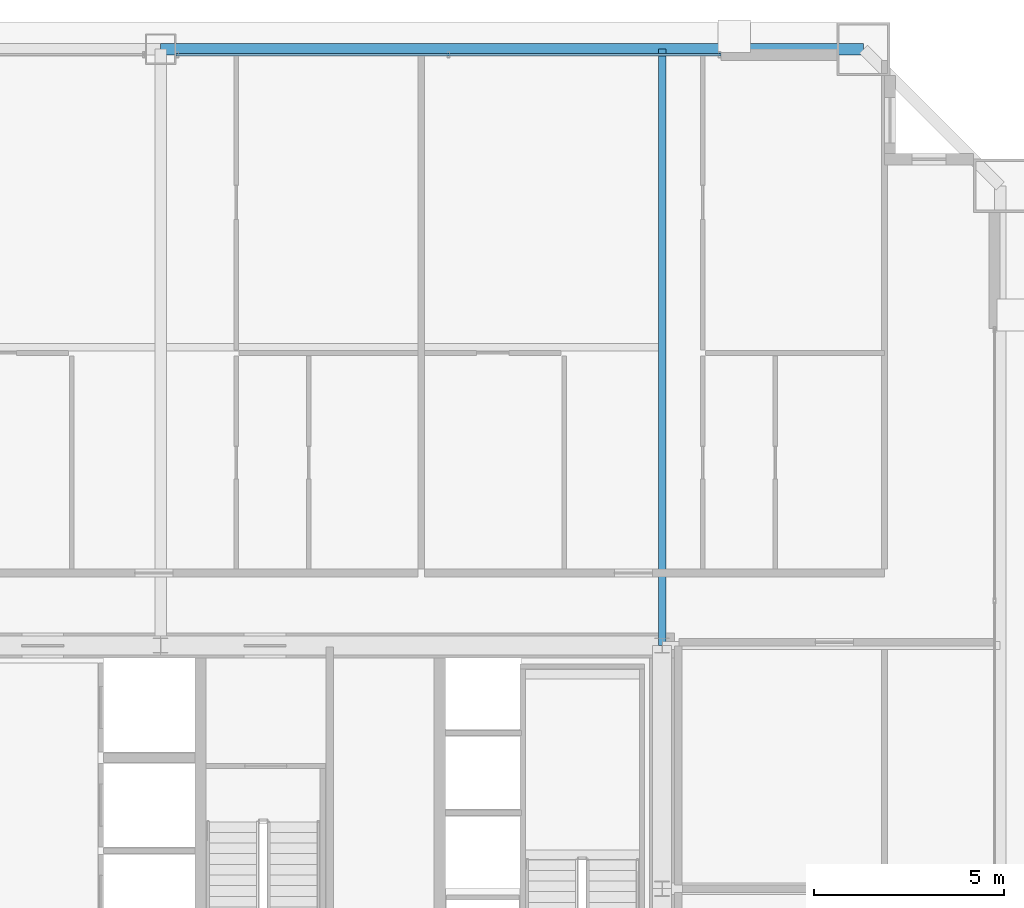
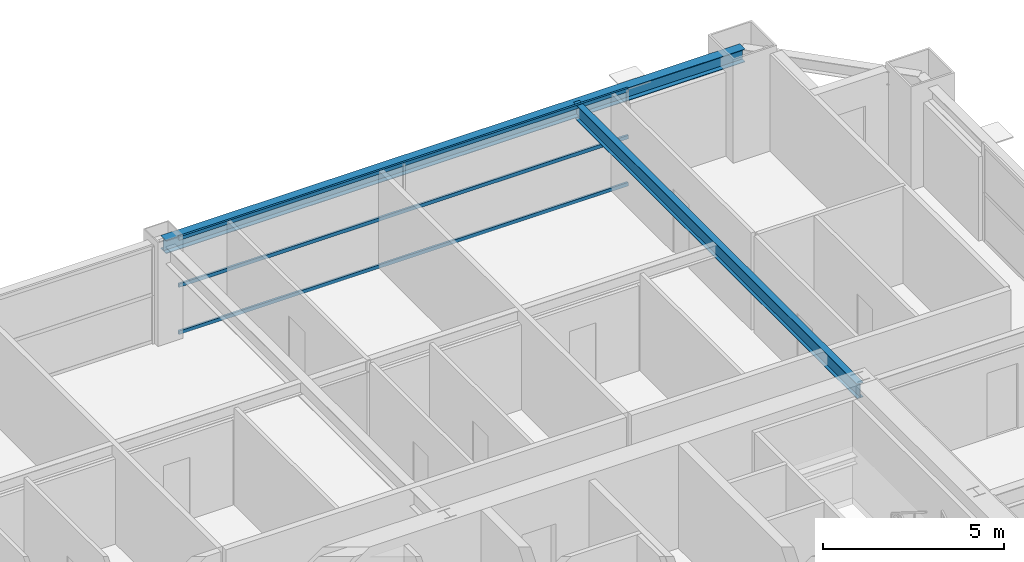
# One storey, part 30 of 38: 3 members, 2 beams, 1 element without a shape of its own.
"""IFC4 building model written with IfcOpenShell, lengths in metres."""

from ifc_helpers import new_model, si_unit, direction, frame, origin, origin_2d, place, context, subcontext, project, spatial, hollow_rectangle, i_section, extrude, source, transform, mapped, material, layer, layer_set, material_profile, profile_set, type_object, element, aggregate, save


model = new_model("IFC4")

# Units and contexts
model_context = context("Model", 3, precision=1e-05, world=origin(), true_north=direction((0.0, 1.0)))
body_context = subcontext(model_context, "Body", "Model", "MODEL_VIEW")
ifc_project = project(units=[si_unit("LENGTHUNIT", "METRE"), si_unit("AREAUNIT", "SQUARE_METRE"), si_unit("VOLUMEUNIT", "CUBIC_METRE"), si_unit("PLANEANGLEUNIT", "RADIAN"), si_unit("MASSUNIT", "GRAM", prefix="KILO"), si_unit("THERMODYNAMICTEMPERATUREUNIT", "KELVIN"), si_unit("POWERUNIT", "WATT")], contexts=[model_context])

# Site, building, storey
site_placement = place(None, origin())
site = spatial("IfcSite", under=ifc_project, at=site_placement, CompositionType="ELEMENT")
building_placement = place(site_placement, origin())
building = spatial("IfcBuilding", under=site, at=building_placement, Name="Yuzanri Waterfront Tower", CompositionType="ELEMENT")
storey_placement = place(building_placement, frame((0.0, 0.0, 209.0)))
storey = spatial("IfcBuildingStorey", under=building, at=storey_placement, Name="L55", CompositionType="ELEMENT", Elevation=209.0)

# Beams
ifc_material_1 = material(Name="Steel Q355B", Category="steel")
ifc_material_profile_1 = material_profile(ifc_material_1, i_section(OverallWidth=0.300048828125, OverallDepth=0.43994140625, WebThickness=0.010986328125, FlangeThickness=0.01806640625, at=origin_2d()), Name="HM 440x300x11x18")
ifc_profile_set_1 = profile_set([ifc_material_profile_1], Name="Steel Q355B")
beam_type_1 = type_object("IfcBeamType", Name="Perimeter Spandrel Q355B HM 440x300", PredefinedType="SPANDREL", material=ifc_profile_set_1)
shared_shape_1 = source(origin(), body_context, "Body", "SweptSolid", [
    extrude(i_section(OverallWidth=0.300048828125, OverallDepth=0.43994140625, WebThickness=0.010986328125, FlangeThickness=0.01806640625, at=origin_2d()), origin(), (0.0, 0.0, 1.0), 18.5),
])
beam_1_placement = place(storey_placement, frame((55.5, 47.89990234375, 3.06005859375), z_axis=(-1.0, 0.0, 0.0), x_axis=(0.0, -1.0, 0.0)))
element("IfcBeam", 1, at=beam_1_placement, inside=storey, type_object=beam_type_1, Name="L55 Perimeter Spandrel N3-N2", PredefinedType="SPANDREL", context=body_context, shape_type="MappedRepresentation", body=[
    mapped(shared_shape_1, transform((0.0, 0.0, 0.0), scale=1.0)),
])
ifc_material_2 = material(Name="Steel Q355B", Category="steel")
ifc_material_profile_2 = material_profile(ifc_material_2, i_section(OverallWidth=0.199951171875, OverallDepth=0.5, WebThickness=0.010009765625, FlangeThickness=0.01611328125, at=origin_2d()), Name="HN 500x200x10x16")
ifc_profile_set_2 = profile_set([ifc_material_profile_2], Name="Steel Q355B")
beam_type_2 = type_object("IfcBeamType", Name="Secondary Floor Beam Q355B HN 500x200", PredefinedType="BEAM", material=ifc_profile_set_2)
shared_shape_2 = source(origin(), body_context, "Body", "SweptSolid", [
    extrude(i_section(OverallWidth=0.199951171875, OverallDepth=0.5, WebThickness=0.010009765625, FlangeThickness=0.01611328125, at=origin_2d()), origin(), (0.0, 0.0, 1.0), 15.699951171875),
])
beam_2_placement = place(storey_placement, frame((50.199951171875, 32.199951171875, 3.030029296875), z_axis=(0.0, 1.0, 0.0), x_axis=(-1.0, 0.0, 0.0)))
element("IfcBeam", 2, at=beam_2_placement, inside=storey, type_object=beam_type_2, Name="L55 North-East Core Line Beam", PredefinedType="BEAM", context=body_context, shape_type="MappedRepresentation", body=[
    mapped(shared_shape_2, transform((0.0, 0.0, 0.0), scale=1.0)),
])

# Curtain wall, members
ifc_material_3 = material(Name="Anodized Architectural Bronze", Category="metal")
ifc_layer = layer(ifc_material_3, 0.159912109375)
ifc_layer_set = layer_set([ifc_layer], Name="Anodized Architectural Bronze")
curtain_wall_type = type_object("IfcCurtainWallType", Name="Anodized Bronze Mid-Rise Residential Acoustic Unitized Curtain Wall 7200", PredefinedType="NOTDEFINED", material=ifc_layer_set)
curtain_wall_placement = place(storey_placement, origin())
curtain_wall = element("IfcCurtainWall", 3, at=curtain_wall_placement, inside=storey, type_object=curtain_wall_type, Name="L55 Curtain Wall CW-L55-NR", PredefinedType="NOTDEFINED")
ifc_material_4 = material(Name="Anodized Architectural Bronze", Category="metal")
ifc_material_profile_3 = material_profile(ifc_material_4, hollow_rectangle(XDim=0.06494140625, YDim=0.1201171875, WallThickness=0.00341796875, at=origin_2d()), Name="CWT 65x120")
ifc_profile_set_3 = profile_set([ifc_material_profile_3], Name="Anodized Architectural Bronze")
member_type = type_object("IfcMemberType", Name="Anodized Bronze Secondary Curtain-Wall Transom 65x120", PredefinedType="USERDEFINED", material=ifc_profile_set_3)
shared_shape_3 = source(origin(), body_context, "Body", "SweptSolid", [
    extrude(hollow_rectangle(XDim=0.06494140625, YDim=0.1201171875, WallThickness=0.00341796875, at=origin_2d()), origin(), (0.0, 0.0, 1.0), 14.35009765625),
])
member_1_placement = place(storey_placement, frame((37.39990234375, 47.75, 0.050048828125), z_axis=(1.0, 0.0, 0.0), x_axis=(0.0, 1.0, 0.0)))
member_1 = element("IfcMember", 4, at=member_1_placement, type_object=member_type, Name="CW-L55-NR Transom 1", ObjectType="TRANSOM", PredefinedType="USERDEFINED", context=body_context, shape_type="MappedRepresentation", body=[
    mapped(shared_shape_3, transform((0.0, 0.0, 0.0), scale=1.0)),
])
member_2_placement = place(storey_placement, frame((37.39990234375, 47.75, 1.639892578125), z_axis=(1.0, 0.0, 0.0), x_axis=(0.0, 1.0, 0.0)))
member_2 = element("IfcMember", 5, at=member_2_placement, type_object=member_type, Name="CW-L55-NR Transom 2", ObjectType="TRANSOM", PredefinedType="USERDEFINED", context=body_context, shape_type="MappedRepresentation", body=[
    mapped(shared_shape_3, transform((0.0, 0.0, 0.0), scale=1.0)),
])
member_3_placement = place(storey_placement, frame((37.39990234375, 47.75, 3.22998046875), z_axis=(1.0, 0.0, 0.0), x_axis=(0.0, 1.0, 0.0)))
member_3 = element("IfcMember", 6, at=member_3_placement, type_object=member_type, Name="CW-L55-NR Transom 3", ObjectType="TRANSOM", PredefinedType="USERDEFINED", context=body_context, shape_type="MappedRepresentation", body=[
    mapped(shared_shape_3, transform((0.0, 0.0, 0.0), scale=1.0)),
])
aggregate(curtain_wall, [member_1, member_2, member_3])

save(model, "model.ifc")
